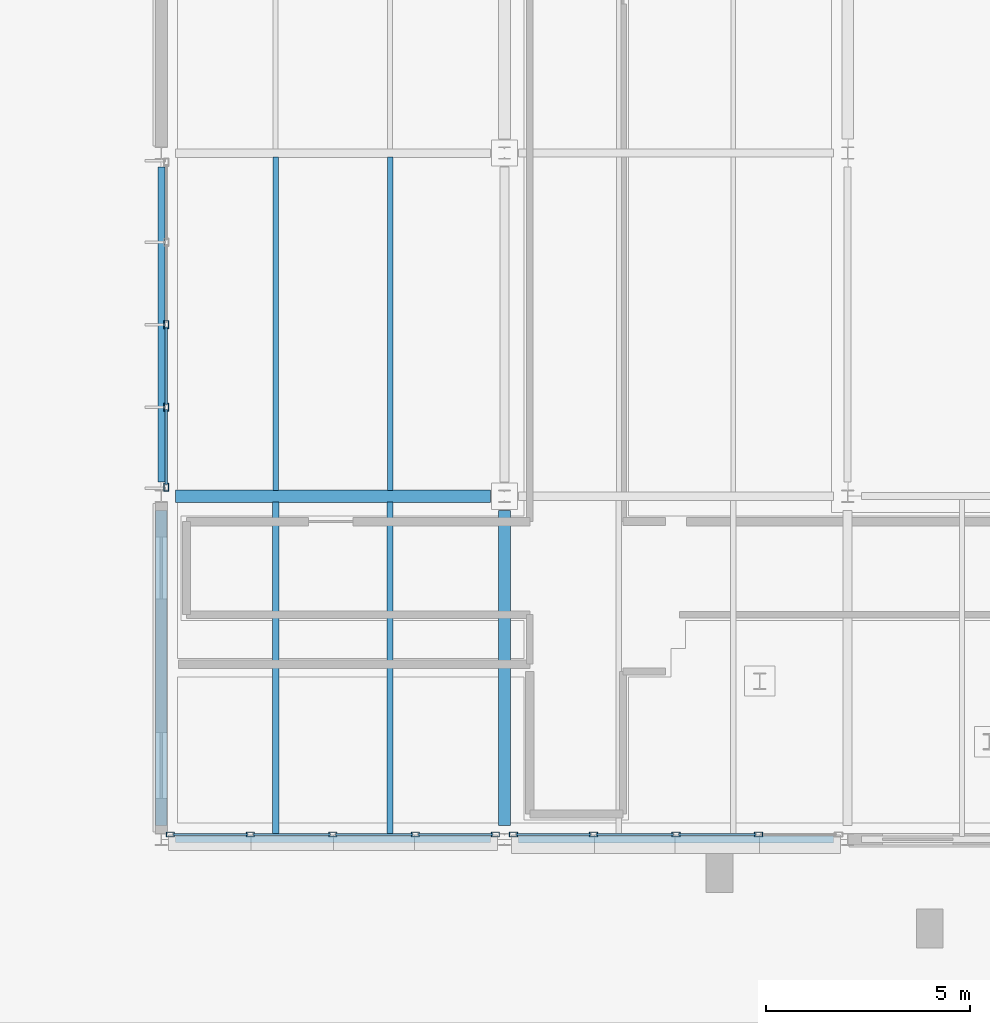
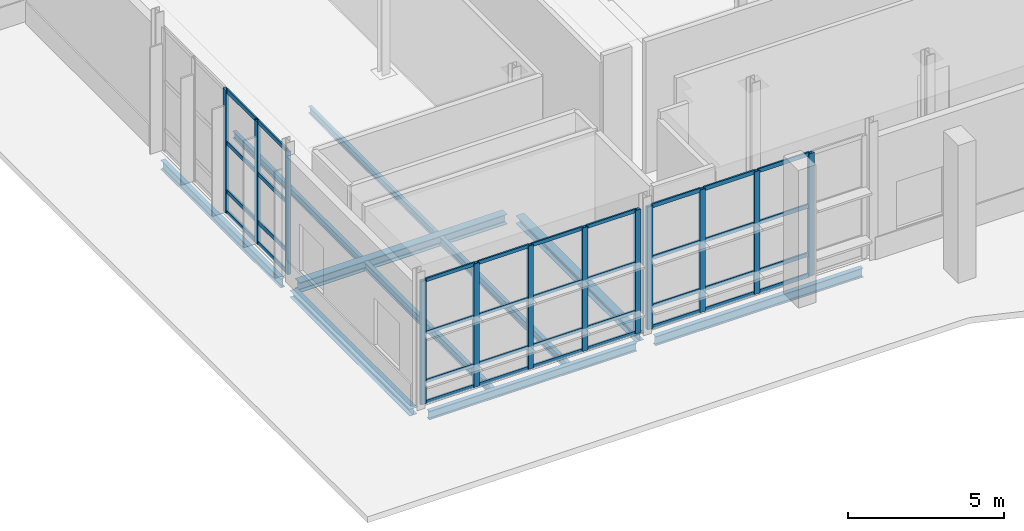
# One storey, part 18 of 124: 48 members, 10 beams, 3 elements without a shape of their own.
"""IFC4 building model written with IfcOpenShell, lengths in metres."""

from ifc_helpers import new_model, si_unit, direction, frame, origin, origin_2d, place, context, subcontext, project, spatial, hollow_rectangle, i_section, extrude, material, material_profile, profile_set, type_object, element, aggregate, save


model = new_model("IFC4")

# Units and contexts
model_context = context("Model", 3, precision=1e-05, world=origin(), true_north=direction((0.0, 1.0)))
body_context = subcontext(model_context, "Body", "Model", "MODEL_VIEW")
ifc_project = project(units=[si_unit("LENGTHUNIT", "METRE"), si_unit("AREAUNIT", "SQUARE_METRE"), si_unit("VOLUMEUNIT", "CUBIC_METRE"), si_unit("PLANEANGLEUNIT", "RADIAN"), si_unit("MASSUNIT", "GRAM", prefix="KILO")], contexts=[model_context])

# Site, building, storey
site_placement = place(None, origin())
site = spatial("IfcSite", under=ifc_project, at=site_placement, CompositionType="ELEMENT")
building_placement = place(site_placement, origin())
building = spatial("IfcBuilding", under=site, at=building_placement, Name="Mersafa Astral City Hall", CompositionType="ELEMENT")
storey_placement = place(building_placement, origin())
storey = spatial("IfcBuildingStorey", under=building, at=storey_placement, Name="L00", CompositionType="ELEMENT", Elevation=0.0)

# Curtain wall, members
ifc_material_1 = material(Name="Anodised bronze aluminium framing", Category="aluminium")
curtain_wall_type_1 = type_object("IfcCurtainWallType", Name="ENV-CW-3", PredefinedType="USERDEFINED", material=ifc_material_1)
curtain_wall_1_placement = place(storey_placement, origin())
curtain_wall_1 = element("IfcCurtainWall", 1, at=curtain_wall_1_placement, inside=storey, type_object=curtain_wall_type_1, Name="L00 Unitised solar curtain wall 38", ObjectType="UNITISED CURTAIN WALL", PredefinedType="USERDEFINED")
ifc_material_profile_1 = material_profile(ifc_material_1, hollow_rectangle(XDim=0.1201171875, YDim=0.199951171875, WallThickness=0.008056640625, at=origin_2d()), Name="RHS 120x200x8")
ifc_profile_set_1 = profile_set([ifc_material_profile_1], Name="Anodised bronze aluminium framing")
member_type_1 = type_object("IfcMemberType", Name="ENV-CW-MUL-2", PredefinedType="MULLION", material=ifc_profile_set_1)
member_1_placement = place(storey_placement, frame((8.52001953125, 63.0, -0.001953125), z_axis=(0.0, 0.0, 1.0), x_axis=(1.0, 0.0, 0.0)))
member_1 = element("IfcMember", 2, at=member_1_placement, type_object=member_type_1, Name="CW-3 mullion 3", PredefinedType="MULLION", context=body_context, shape_type="SweptSolid", body=[
    extrude(hollow_rectangle(XDim=0.1201171875, YDim=0.199951171875, WallThickness=0.008056640625, at=origin_2d()), origin(), (0.0, 0.0, 1.0), 4.81396484375),
])
member_2_placement = place(storey_placement, frame((8.52001953125, 60.98095703125, -0.001953125), z_axis=(0.0, 0.0, 1.0), x_axis=(1.0, 0.0, 0.0)))
member_2 = element("IfcMember", 3, at=member_2_placement, type_object=member_type_1, Name="CW-3 mullion 4", PredefinedType="MULLION", context=body_context, shape_type="SweptSolid", body=[
    extrude(hollow_rectangle(XDim=0.1201171875, YDim=0.199951171875, WallThickness=0.008056640625, at=origin_2d()), origin(), (0.0, 0.0, 1.0), 4.81396484375),
])
member_3_placement = place(storey_placement, frame((8.52001953125, 59.02197265625, -0.001953125), z_axis=(0.0, 0.0, 1.0), x_axis=(1.0, 0.0, 0.0)))
member_3 = element("IfcMember", 4, at=member_3_placement, type_object=member_type_1, Name="CW-3 mullion 5", PredefinedType="MULLION", context=body_context, shape_type="SweptSolid", body=[
    extrude(hollow_rectangle(XDim=0.1201171875, YDim=0.199951171875, WallThickness=0.008056640625, at=origin_2d()), origin(), (0.0, 0.0, 1.0), 4.81396484375),
])

curtain_wall_type_2 = type_object("IfcCurtainWallType", Name="ENV-CW-4", PredefinedType="USERDEFINED", material=ifc_material_1)
curtain_wall_2_placement = place(storey_placement, origin())
curtain_wall_2 = element("IfcCurtainWall", 5, at=curtain_wall_2_placement, inside=storey, type_object=curtain_wall_type_2, Name="L00 Unitised solar curtain wall 39", ObjectType="UNITISED CURTAIN WALL", PredefinedType="USERDEFINED")
member_4_placement = place(storey_placement, frame((8.6220703125, 50.52001953125, -0.001953125), z_axis=(0.0, 0.0, 1.0), x_axis=(0.0, 1.0, 0.0)))
member_4 = element("IfcMember", 6, at=member_4_placement, type_object=member_type_1, Name="CW-4 mullion 1", PredefinedType="MULLION", context=body_context, shape_type="SweptSolid", body=[
    extrude(hollow_rectangle(XDim=0.1201171875, YDim=0.199951171875, WallThickness=0.008056640625, at=origin_2d()), origin(), (0.0, 0.0, 1.0), 4.843994140625),
])
member_5_placement = place(storey_placement, frame((10.5810546875, 50.52001953125, -0.001953125), z_axis=(0.0, 0.0, 1.0), x_axis=(0.0, 1.0, 0.0)))
member_5 = element("IfcMember", 7, at=member_5_placement, type_object=member_type_1, Name="CW-4 mullion 2", PredefinedType="MULLION", context=body_context, shape_type="SweptSolid", body=[
    extrude(hollow_rectangle(XDim=0.1201171875, YDim=0.199951171875, WallThickness=0.008056640625, at=origin_2d()), origin(), (0.0, 0.0, 1.0), 4.843994140625),
])
member_6_placement = place(storey_placement, frame((12.60009765625, 50.52001953125, -0.001953125), z_axis=(0.0, 0.0, 1.0), x_axis=(0.0, 1.0, 0.0)))
member_6 = element("IfcMember", 8, at=member_6_placement, type_object=member_type_1, Name="CW-4 mullion 3", PredefinedType="MULLION", context=body_context, shape_type="SweptSolid", body=[
    extrude(hollow_rectangle(XDim=0.1201171875, YDim=0.199951171875, WallThickness=0.008056640625, at=origin_2d()), origin(), (0.0, 0.0, 1.0), 4.843994140625),
])
member_7_placement = place(storey_placement, frame((14.618896484375, 50.52001953125, -0.001953125), z_axis=(0.0, 0.0, 1.0), x_axis=(0.0, 1.0, 0.0)))
member_7 = element("IfcMember", 9, at=member_7_placement, type_object=member_type_1, Name="CW-4 mullion 4", PredefinedType="MULLION", context=body_context, shape_type="SweptSolid", body=[
    extrude(hollow_rectangle(XDim=0.1201171875, YDim=0.199951171875, WallThickness=0.008056640625, at=origin_2d()), origin(), (0.0, 0.0, 1.0), 4.843994140625),
])
member_8_placement = place(storey_placement, frame((16.577880859375, 50.52001953125, -0.001953125), z_axis=(0.0, 0.0, 1.0), x_axis=(0.0, 1.0, 0.0)))
member_8 = element("IfcMember", 10, at=member_8_placement, type_object=member_type_1, Name="CW-4 mullion 5", PredefinedType="MULLION", context=body_context, shape_type="SweptSolid", body=[
    extrude(hollow_rectangle(XDim=0.1201171875, YDim=0.199951171875, WallThickness=0.008056640625, at=origin_2d()), origin(), (0.0, 0.0, 1.0), 4.843994140625),
])

curtain_wall_type_3 = type_object("IfcCurtainWallType", Name="ENV-CW-5", PredefinedType="USERDEFINED", material=ifc_material_1)
curtain_wall_3_placement = place(storey_placement, origin())
curtain_wall_3 = element("IfcCurtainWall", 11, at=curtain_wall_3_placement, inside=storey, type_object=curtain_wall_type_3, Name="L00 Unitised solar curtain wall 40", ObjectType="UNITISED CURTAIN WALL", PredefinedType="USERDEFINED")
member_9_placement = place(storey_placement, frame((17.02197265625, 50.52001953125, -0.001953125), z_axis=(0.0, 0.0, 1.0), x_axis=(0.0, 1.0, 0.0)))
member_9 = element("IfcMember", 12, at=member_9_placement, type_object=member_type_1, Name="CW-5 mullion 1", PredefinedType="MULLION", context=body_context, shape_type="SweptSolid", body=[
    extrude(hollow_rectangle(XDim=0.1201171875, YDim=0.199951171875, WallThickness=0.008056640625, at=origin_2d()), origin(), (0.0, 0.0, 1.0), 4.81396484375),
])
member_10_placement = place(storey_placement, frame((18.98095703125, 50.52001953125, -0.001953125), z_axis=(0.0, 0.0, 1.0), x_axis=(0.0, 1.0, 0.0)))
member_10 = element("IfcMember", 13, at=member_10_placement, type_object=member_type_1, Name="CW-5 mullion 2", PredefinedType="MULLION", context=body_context, shape_type="SweptSolid", body=[
    extrude(hollow_rectangle(XDim=0.1201171875, YDim=0.199951171875, WallThickness=0.008056640625, at=origin_2d()), origin(), (0.0, 0.0, 1.0), 4.81396484375),
])
member_11_placement = place(storey_placement, frame((21.0, 50.52001953125, -0.001953125), z_axis=(0.0, 0.0, 1.0), x_axis=(0.0, 1.0, 0.0)))
member_11 = element("IfcMember", 14, at=member_11_placement, type_object=member_type_1, Name="CW-5 mullion 3", PredefinedType="MULLION", context=body_context, shape_type="SweptSolid", body=[
    extrude(hollow_rectangle(XDim=0.1201171875, YDim=0.199951171875, WallThickness=0.008056640625, at=origin_2d()), origin(), (0.0, 0.0, 1.0), 4.81396484375),
])
member_12_placement = place(storey_placement, frame((23.01904296875, 50.52001953125, -0.001953125), z_axis=(0.0, 0.0, 1.0), x_axis=(0.0, 1.0, 0.0)))
member_12 = element("IfcMember", 15, at=member_12_placement, type_object=member_type_1, Name="CW-5 mullion 4", PredefinedType="MULLION", context=body_context, shape_type="SweptSolid", body=[
    extrude(hollow_rectangle(XDim=0.1201171875, YDim=0.199951171875, WallThickness=0.008056640625, at=origin_2d()), origin(), (0.0, 0.0, 1.0), 4.81396484375),
])

# Member
ifc_material_profile_2 = material_profile(ifc_material_1, hollow_rectangle(XDim=0.06005859375, YDim=0.139892578125, WallThickness=0.00390625, at=origin_2d()), Name="RHS 60x140x4")
ifc_profile_set_2 = profile_set([ifc_material_profile_2], Name="Anodised bronze aluminium framing")
member_type_2 = type_object("IfcMemberType", Name="ENV-CW-TRN-1", PredefinedType="USERDEFINED", material=ifc_profile_set_2)
member_13_placement = place(storey_placement, frame((8.681884765625, 50.52001953125, 0.028076171875), z_axis=(1.0, 0.0, 0.0), x_axis=(0.0, 1.0, 0.0)))
member_13 = element("IfcMember", 16, at=member_13_placement, type_object=member_type_2, Name="CW-4 transom 1.1", ObjectType="TRANSOM", PredefinedType="USERDEFINED", context=body_context, shape_type="SweptSolid", body=[
    extrude(hollow_rectangle(XDim=0.06005859375, YDim=0.139892578125, WallThickness=0.00390625, at=origin_2d()), origin(), (0.0, 0.0, 1.0), 1.839111328125),
])

member_14_placement = place(storey_placement, frame((8.681884765625, 50.52001953125, 0.85009765625), z_axis=(1.0, 0.0, 0.0), x_axis=(0.0, 1.0, 0.0)))
member_14 = element("IfcMember", 17, at=member_14_placement, type_object=member_type_2, Name="CW-4 transom 1.2", ObjectType="TRANSOM", PredefinedType="USERDEFINED", context=body_context, shape_type="SweptSolid", body=[
    extrude(hollow_rectangle(XDim=0.06005859375, YDim=0.139892578125, WallThickness=0.00390625, at=origin_2d()), origin(), (0.0, 0.0, 1.0), 1.839111328125),
])

member_15_placement = place(storey_placement, frame((8.681884765625, 50.52001953125, 2.75), z_axis=(1.0, 0.0, 0.0), x_axis=(0.0, 1.0, 0.0)))
member_15 = element("IfcMember", 18, at=member_15_placement, type_object=member_type_2, Name="CW-4 transom 1.3", ObjectType="TRANSOM", PredefinedType="USERDEFINED", context=body_context, shape_type="SweptSolid", body=[
    extrude(hollow_rectangle(XDim=0.06005859375, YDim=0.139892578125, WallThickness=0.00390625, at=origin_2d()), origin(), (0.0, 0.0, 1.0), 1.839111328125),
])

member_16_placement = place(storey_placement, frame((8.681884765625, 50.52001953125, 4.81201171875), z_axis=(1.0, 0.0, 0.0), x_axis=(0.0, 1.0, 0.0)))
member_16 = element("IfcMember", 19, at=member_16_placement, type_object=member_type_2, Name="CW-4 transom 1.4", ObjectType="TRANSOM", PredefinedType="USERDEFINED", context=body_context, shape_type="SweptSolid", body=[
    extrude(hollow_rectangle(XDim=0.06005859375, YDim=0.139892578125, WallThickness=0.00390625, at=origin_2d()), origin(), (0.0, 0.0, 1.0), 1.839111328125),
])

member_17_placement = place(storey_placement, frame((10.64111328125, 50.52001953125, 0.028076171875), z_axis=(1.0, 0.0, 0.0), x_axis=(0.0, 1.0, 0.0)))
member_17 = element("IfcMember", 20, at=member_17_placement, type_object=member_type_2, Name="CW-4 transom 2.1", ObjectType="TRANSOM", PredefinedType="USERDEFINED", context=body_context, shape_type="SweptSolid", body=[
    extrude(hollow_rectangle(XDim=0.06005859375, YDim=0.139892578125, WallThickness=0.00390625, at=origin_2d()), origin(), (0.0, 0.0, 1.0), 1.89892578125),
])

member_18_placement = place(storey_placement, frame((10.64111328125, 50.52001953125, 0.85009765625), z_axis=(1.0, 0.0, 0.0), x_axis=(0.0, 1.0, 0.0)))
member_18 = element("IfcMember", 21, at=member_18_placement, type_object=member_type_2, Name="CW-4 transom 2.2", ObjectType="TRANSOM", PredefinedType="USERDEFINED", context=body_context, shape_type="SweptSolid", body=[
    extrude(hollow_rectangle(XDim=0.06005859375, YDim=0.139892578125, WallThickness=0.00390625, at=origin_2d()), origin(), (0.0, 0.0, 1.0), 1.89892578125),
])

member_19_placement = place(storey_placement, frame((10.64111328125, 50.52001953125, 2.75), z_axis=(1.0, 0.0, 0.0), x_axis=(0.0, 1.0, 0.0)))
member_19 = element("IfcMember", 22, at=member_19_placement, type_object=member_type_2, Name="CW-4 transom 2.3", ObjectType="TRANSOM", PredefinedType="USERDEFINED", context=body_context, shape_type="SweptSolid", body=[
    extrude(hollow_rectangle(XDim=0.06005859375, YDim=0.139892578125, WallThickness=0.00390625, at=origin_2d()), origin(), (0.0, 0.0, 1.0), 1.89892578125),
])

member_20_placement = place(storey_placement, frame((10.64111328125, 50.52001953125, 4.81201171875), z_axis=(1.0, 0.0, 0.0), x_axis=(0.0, 1.0, 0.0)))
member_20 = element("IfcMember", 23, at=member_20_placement, type_object=member_type_2, Name="CW-4 transom 2.4", ObjectType="TRANSOM", PredefinedType="USERDEFINED", context=body_context, shape_type="SweptSolid", body=[
    extrude(hollow_rectangle(XDim=0.06005859375, YDim=0.139892578125, WallThickness=0.00390625, at=origin_2d()), origin(), (0.0, 0.0, 1.0), 1.89892578125),
])

member_21_placement = place(storey_placement, frame((12.659912109375, 50.52001953125, 0.028076171875), z_axis=(1.0, 0.0, 0.0), x_axis=(0.0, 1.0, 0.0)))
member_21 = element("IfcMember", 24, at=member_21_placement, type_object=member_type_2, Name="CW-4 transom 3.1", ObjectType="TRANSOM", PredefinedType="USERDEFINED", context=body_context, shape_type="SweptSolid", body=[
    extrude(hollow_rectangle(XDim=0.06005859375, YDim=0.139892578125, WallThickness=0.00390625, at=origin_2d()), origin(), (0.0, 0.0, 1.0), 1.899169921875),
])

member_22_placement = place(storey_placement, frame((12.659912109375, 50.52001953125, 0.85009765625), z_axis=(1.0, 0.0, 0.0), x_axis=(0.0, 1.0, 0.0)))
member_22 = element("IfcMember", 25, at=member_22_placement, type_object=member_type_2, Name="CW-4 transom 3.2", ObjectType="TRANSOM", PredefinedType="USERDEFINED", context=body_context, shape_type="SweptSolid", body=[
    extrude(hollow_rectangle(XDim=0.06005859375, YDim=0.139892578125, WallThickness=0.00390625, at=origin_2d()), origin(), (0.0, 0.0, 1.0), 1.899169921875),
])

member_23_placement = place(storey_placement, frame((12.659912109375, 50.52001953125, 2.75), z_axis=(1.0, 0.0, 0.0), x_axis=(0.0, 1.0, 0.0)))
member_23 = element("IfcMember", 26, at=member_23_placement, type_object=member_type_2, Name="CW-4 transom 3.3", ObjectType="TRANSOM", PredefinedType="USERDEFINED", context=body_context, shape_type="SweptSolid", body=[
    extrude(hollow_rectangle(XDim=0.06005859375, YDim=0.139892578125, WallThickness=0.00390625, at=origin_2d()), origin(), (0.0, 0.0, 1.0), 1.899169921875),
])

member_24_placement = place(storey_placement, frame((12.659912109375, 50.52001953125, 4.81201171875), z_axis=(1.0, 0.0, 0.0), x_axis=(0.0, 1.0, 0.0)))
member_24 = element("IfcMember", 27, at=member_24_placement, type_object=member_type_2, Name="CW-4 transom 3.4", ObjectType="TRANSOM", PredefinedType="USERDEFINED", context=body_context, shape_type="SweptSolid", body=[
    extrude(hollow_rectangle(XDim=0.06005859375, YDim=0.139892578125, WallThickness=0.00390625, at=origin_2d()), origin(), (0.0, 0.0, 1.0), 1.899169921875),
])

member_25_placement = place(storey_placement, frame((14.678955078125, 50.52001953125, 0.028076171875), z_axis=(1.0, 0.0, 0.0), x_axis=(0.0, 1.0, 0.0)))
member_25 = element("IfcMember", 28, at=member_25_placement, type_object=member_type_2, Name="CW-4 transom 4.1", ObjectType="TRANSOM", PredefinedType="USERDEFINED", context=body_context, shape_type="SweptSolid", body=[
    extrude(hollow_rectangle(XDim=0.06005859375, YDim=0.139892578125, WallThickness=0.00390625, at=origin_2d()), origin(), (0.0, 0.0, 1.0), 1.839111328125),
])

member_26_placement = place(storey_placement, frame((14.678955078125, 50.52001953125, 0.85009765625), z_axis=(1.0, 0.0, 0.0), x_axis=(0.0, 1.0, 0.0)))
member_26 = element("IfcMember", 29, at=member_26_placement, type_object=member_type_2, Name="CW-4 transom 4.2", ObjectType="TRANSOM", PredefinedType="USERDEFINED", context=body_context, shape_type="SweptSolid", body=[
    extrude(hollow_rectangle(XDim=0.06005859375, YDim=0.139892578125, WallThickness=0.00390625, at=origin_2d()), origin(), (0.0, 0.0, 1.0), 1.839111328125),
])

member_27_placement = place(storey_placement, frame((14.678955078125, 50.52001953125, 2.75), z_axis=(1.0, 0.0, 0.0), x_axis=(0.0, 1.0, 0.0)))
member_27 = element("IfcMember", 30, at=member_27_placement, type_object=member_type_2, Name="CW-4 transom 4.3", ObjectType="TRANSOM", PredefinedType="USERDEFINED", context=body_context, shape_type="SweptSolid", body=[
    extrude(hollow_rectangle(XDim=0.06005859375, YDim=0.139892578125, WallThickness=0.00390625, at=origin_2d()), origin(), (0.0, 0.0, 1.0), 1.839111328125),
])

member_28_placement = place(storey_placement, frame((14.678955078125, 50.52001953125, 4.81201171875), z_axis=(1.0, 0.0, 0.0), x_axis=(0.0, 1.0, 0.0)))
member_28 = element("IfcMember", 31, at=member_28_placement, type_object=member_type_2, Name="CW-4 transom 4.4", ObjectType="TRANSOM", PredefinedType="USERDEFINED", context=body_context, shape_type="SweptSolid", body=[
    extrude(hollow_rectangle(XDim=0.06005859375, YDim=0.139892578125, WallThickness=0.00390625, at=origin_2d()), origin(), (0.0, 0.0, 1.0), 1.839111328125),
])

aggregate(curtain_wall_2, [member_4, member_5, member_6, member_7, member_8, member_13, member_14, member_15, member_16, member_17, member_18, member_19, member_20, member_21, member_22, member_23, member_24, member_25, member_26, member_27, member_28])

ifc_material_profile_3 = material_profile(ifc_material_1, hollow_rectangle(XDim=0.06005859375, YDim=0.159912109375, WallThickness=0.00390625, at=origin_2d()), Name="RHS 60x160x4")
ifc_profile_set_3 = profile_set([ifc_material_profile_3], Name="Anodised bronze aluminium framing")
member_type_3 = type_object("IfcMemberType", Name="ENV-CW-TRN-2", PredefinedType="USERDEFINED", material=ifc_profile_set_3)
member_29_placement = place(storey_placement, frame((8.52001953125, 62.93994140625, 0.028076171875), z_axis=(0.0, -1.0, 0.0), x_axis=(1.0, 0.0, 0.0)))
member_29 = element("IfcMember", 32, at=member_29_placement, type_object=member_type_3, Name="CW-3 transom 3.1", ObjectType="TRANSOM", PredefinedType="USERDEFINED", context=body_context, shape_type="SweptSolid", body=[
    extrude(hollow_rectangle(XDim=0.06005859375, YDim=0.159912109375, WallThickness=0.00390625, at=origin_2d()), origin(), (0.0, 0.0, 1.0), 1.89892578125),
])

member_30_placement = place(storey_placement, frame((8.52001953125, 62.93994140625, 0.85009765625), z_axis=(0.0, -1.0, 0.0), x_axis=(1.0, 0.0, 0.0)))
member_30 = element("IfcMember", 33, at=member_30_placement, type_object=member_type_3, Name="CW-3 transom 3.2", ObjectType="TRANSOM", PredefinedType="USERDEFINED", context=body_context, shape_type="SweptSolid", body=[
    extrude(hollow_rectangle(XDim=0.06005859375, YDim=0.159912109375, WallThickness=0.00390625, at=origin_2d()), origin(), (0.0, 0.0, 1.0), 1.89892578125),
])

member_31_placement = place(storey_placement, frame((8.52001953125, 62.93994140625, 2.75), z_axis=(0.0, -1.0, 0.0), x_axis=(1.0, 0.0, 0.0)))
member_31 = element("IfcMember", 34, at=member_31_placement, type_object=member_type_3, Name="CW-3 transom 3.3", ObjectType="TRANSOM", PredefinedType="USERDEFINED", context=body_context, shape_type="SweptSolid", body=[
    extrude(hollow_rectangle(XDim=0.06005859375, YDim=0.159912109375, WallThickness=0.00390625, at=origin_2d()), origin(), (0.0, 0.0, 1.0), 1.89892578125),
])

member_32_placement = place(storey_placement, frame((8.52001953125, 62.93994140625, 4.781982421875), z_axis=(0.0, -1.0, 0.0), x_axis=(1.0, 0.0, 0.0)))
member_32 = element("IfcMember", 35, at=member_32_placement, type_object=member_type_3, Name="CW-3 transom 3.4", ObjectType="TRANSOM", PredefinedType="USERDEFINED", context=body_context, shape_type="SweptSolid", body=[
    extrude(hollow_rectangle(XDim=0.06005859375, YDim=0.159912109375, WallThickness=0.00390625, at=origin_2d()), origin(), (0.0, 0.0, 1.0), 1.89892578125),
])

member_33_placement = place(storey_placement, frame((8.52001953125, 60.9208984375, 0.028076171875), z_axis=(0.0, -1.0, 0.0), x_axis=(1.0, 0.0, 0.0)))
member_33 = element("IfcMember", 36, at=member_33_placement, type_object=member_type_3, Name="CW-3 transom 4.1", ObjectType="TRANSOM", PredefinedType="USERDEFINED", context=body_context, shape_type="SweptSolid", body=[
    extrude(hollow_rectangle(XDim=0.06005859375, YDim=0.159912109375, WallThickness=0.00390625, at=origin_2d()), origin(), (0.0, 0.0, 1.0), 1.8388671875),
])

member_34_placement = place(storey_placement, frame((8.52001953125, 60.9208984375, 0.85009765625), z_axis=(0.0, -1.0, 0.0), x_axis=(1.0, 0.0, 0.0)))
member_34 = element("IfcMember", 37, at=member_34_placement, type_object=member_type_3, Name="CW-3 transom 4.2", ObjectType="TRANSOM", PredefinedType="USERDEFINED", context=body_context, shape_type="SweptSolid", body=[
    extrude(hollow_rectangle(XDim=0.06005859375, YDim=0.159912109375, WallThickness=0.00390625, at=origin_2d()), origin(), (0.0, 0.0, 1.0), 1.8388671875),
])

member_35_placement = place(storey_placement, frame((8.52001953125, 60.9208984375, 2.75), z_axis=(0.0, -1.0, 0.0), x_axis=(1.0, 0.0, 0.0)))
member_35 = element("IfcMember", 38, at=member_35_placement, type_object=member_type_3, Name="CW-3 transom 4.3", ObjectType="TRANSOM", PredefinedType="USERDEFINED", context=body_context, shape_type="SweptSolid", body=[
    extrude(hollow_rectangle(XDim=0.06005859375, YDim=0.159912109375, WallThickness=0.00390625, at=origin_2d()), origin(), (0.0, 0.0, 1.0), 1.8388671875),
])

member_36_placement = place(storey_placement, frame((8.52001953125, 60.9208984375, 4.781982421875), z_axis=(0.0, -1.0, 0.0), x_axis=(1.0, 0.0, 0.0)))
member_36 = element("IfcMember", 39, at=member_36_placement, type_object=member_type_3, Name="CW-3 transom 4.4", ObjectType="TRANSOM", PredefinedType="USERDEFINED", context=body_context, shape_type="SweptSolid", body=[
    extrude(hollow_rectangle(XDim=0.06005859375, YDim=0.159912109375, WallThickness=0.00390625, at=origin_2d()), origin(), (0.0, 0.0, 1.0), 1.8388671875),
])

aggregate(curtain_wall_1, [member_1, member_2, member_3, member_29, member_30, member_31, member_32, member_33, member_34, member_35, member_36])

member_37_placement = place(storey_placement, frame((17.08203125, 50.52001953125, 0.028076171875), z_axis=(1.0, 0.0, 0.0), x_axis=(0.0, 1.0, 0.0)))
member_37 = element("IfcMember", 40, at=member_37_placement, type_object=member_type_3, Name="CW-5 transom 1.1", ObjectType="TRANSOM", PredefinedType="USERDEFINED", context=body_context, shape_type="SweptSolid", body=[
    extrude(hollow_rectangle(XDim=0.06005859375, YDim=0.159912109375, WallThickness=0.00390625, at=origin_2d()), origin(), (0.0, 0.0, 1.0), 1.8388671875),
])

member_38_placement = place(storey_placement, frame((17.08203125, 50.52001953125, 0.85009765625), z_axis=(1.0, 0.0, 0.0), x_axis=(0.0, 1.0, 0.0)))
member_38 = element("IfcMember", 41, at=member_38_placement, type_object=member_type_3, Name="CW-5 transom 1.2", ObjectType="TRANSOM", PredefinedType="USERDEFINED", context=body_context, shape_type="SweptSolid", body=[
    extrude(hollow_rectangle(XDim=0.06005859375, YDim=0.159912109375, WallThickness=0.00390625, at=origin_2d()), origin(), (0.0, 0.0, 1.0), 1.8388671875),
])

member_39_placement = place(storey_placement, frame((17.08203125, 50.52001953125, 2.75), z_axis=(1.0, 0.0, 0.0), x_axis=(0.0, 1.0, 0.0)))
member_39 = element("IfcMember", 42, at=member_39_placement, type_object=member_type_3, Name="CW-5 transom 1.3", ObjectType="TRANSOM", PredefinedType="USERDEFINED", context=body_context, shape_type="SweptSolid", body=[
    extrude(hollow_rectangle(XDim=0.06005859375, YDim=0.159912109375, WallThickness=0.00390625, at=origin_2d()), origin(), (0.0, 0.0, 1.0), 1.8388671875),
])

member_40_placement = place(storey_placement, frame((17.08203125, 50.52001953125, 4.781982421875), z_axis=(1.0, 0.0, 0.0), x_axis=(0.0, 1.0, 0.0)))
member_40 = element("IfcMember", 43, at=member_40_placement, type_object=member_type_3, Name="CW-5 transom 1.4", ObjectType="TRANSOM", PredefinedType="USERDEFINED", context=body_context, shape_type="SweptSolid", body=[
    extrude(hollow_rectangle(XDim=0.06005859375, YDim=0.159912109375, WallThickness=0.00390625, at=origin_2d()), origin(), (0.0, 0.0, 1.0), 1.8388671875),
])

member_41_placement = place(storey_placement, frame((19.041015625, 50.52001953125, 0.028076171875), z_axis=(1.0, 0.0, 0.0), x_axis=(0.0, 1.0, 0.0)))
member_41 = element("IfcMember", 44, at=member_41_placement, type_object=member_type_3, Name="CW-5 transom 2.1", ObjectType="TRANSOM", PredefinedType="USERDEFINED", context=body_context, shape_type="SweptSolid", body=[
    extrude(hollow_rectangle(XDim=0.06005859375, YDim=0.159912109375, WallThickness=0.00390625, at=origin_2d()), origin(), (0.0, 0.0, 1.0), 1.89892578125),
])

member_42_placement = place(storey_placement, frame((19.041015625, 50.52001953125, 0.85009765625), z_axis=(1.0, 0.0, 0.0), x_axis=(0.0, 1.0, 0.0)))
member_42 = element("IfcMember", 45, at=member_42_placement, type_object=member_type_3, Name="CW-5 transom 2.2", ObjectType="TRANSOM", PredefinedType="USERDEFINED", context=body_context, shape_type="SweptSolid", body=[
    extrude(hollow_rectangle(XDim=0.06005859375, YDim=0.159912109375, WallThickness=0.00390625, at=origin_2d()), origin(), (0.0, 0.0, 1.0), 1.89892578125),
])

member_43_placement = place(storey_placement, frame((19.041015625, 50.52001953125, 2.75), z_axis=(1.0, 0.0, 0.0), x_axis=(0.0, 1.0, 0.0)))
member_43 = element("IfcMember", 46, at=member_43_placement, type_object=member_type_3, Name="CW-5 transom 2.3", ObjectType="TRANSOM", PredefinedType="USERDEFINED", context=body_context, shape_type="SweptSolid", body=[
    extrude(hollow_rectangle(XDim=0.06005859375, YDim=0.159912109375, WallThickness=0.00390625, at=origin_2d()), origin(), (0.0, 0.0, 1.0), 1.89892578125),
])

member_44_placement = place(storey_placement, frame((19.041015625, 50.52001953125, 4.781982421875), z_axis=(1.0, 0.0, 0.0), x_axis=(0.0, 1.0, 0.0)))
member_44 = element("IfcMember", 47, at=member_44_placement, type_object=member_type_3, Name="CW-5 transom 2.4", ObjectType="TRANSOM", PredefinedType="USERDEFINED", context=body_context, shape_type="SweptSolid", body=[
    extrude(hollow_rectangle(XDim=0.06005859375, YDim=0.159912109375, WallThickness=0.00390625, at=origin_2d()), origin(), (0.0, 0.0, 1.0), 1.89892578125),
])

member_45_placement = place(storey_placement, frame((21.06005859375, 50.52001953125, 0.028076171875), z_axis=(1.0, 0.0, 0.0), x_axis=(0.0, 1.0, 0.0)))
member_45 = element("IfcMember", 48, at=member_45_placement, type_object=member_type_3, Name="CW-5 transom 3.1", ObjectType="TRANSOM", PredefinedType="USERDEFINED", context=body_context, shape_type="SweptSolid", body=[
    extrude(hollow_rectangle(XDim=0.06005859375, YDim=0.159912109375, WallThickness=0.00390625, at=origin_2d()), origin(), (0.0, 0.0, 1.0), 1.89892578125),
])

member_46_placement = place(storey_placement, frame((21.06005859375, 50.52001953125, 0.85009765625), z_axis=(1.0, 0.0, 0.0), x_axis=(0.0, 1.0, 0.0)))
member_46 = element("IfcMember", 49, at=member_46_placement, type_object=member_type_3, Name="CW-5 transom 3.2", ObjectType="TRANSOM", PredefinedType="USERDEFINED", context=body_context, shape_type="SweptSolid", body=[
    extrude(hollow_rectangle(XDim=0.06005859375, YDim=0.159912109375, WallThickness=0.00390625, at=origin_2d()), origin(), (0.0, 0.0, 1.0), 1.89892578125),
])

member_47_placement = place(storey_placement, frame((21.06005859375, 50.52001953125, 2.75), z_axis=(1.0, 0.0, 0.0), x_axis=(0.0, 1.0, 0.0)))
member_47 = element("IfcMember", 50, at=member_47_placement, type_object=member_type_3, Name="CW-5 transom 3.3", ObjectType="TRANSOM", PredefinedType="USERDEFINED", context=body_context, shape_type="SweptSolid", body=[
    extrude(hollow_rectangle(XDim=0.06005859375, YDim=0.159912109375, WallThickness=0.00390625, at=origin_2d()), origin(), (0.0, 0.0, 1.0), 1.89892578125),
])

member_48_placement = place(storey_placement, frame((21.06005859375, 50.52001953125, 4.781982421875), z_axis=(1.0, 0.0, 0.0), x_axis=(0.0, 1.0, 0.0)))
member_48 = element("IfcMember", 51, at=member_48_placement, type_object=member_type_3, Name="CW-5 transom 3.4", ObjectType="TRANSOM", PredefinedType="USERDEFINED", context=body_context, shape_type="SweptSolid", body=[
    extrude(hollow_rectangle(XDim=0.06005859375, YDim=0.159912109375, WallThickness=0.00390625, at=origin_2d()), origin(), (0.0, 0.0, 1.0), 1.89892578125),
])

aggregate(curtain_wall_3, [member_9, member_10, member_11, member_12, member_37, member_38, member_39, member_40, member_41, member_42, member_43, member_44, member_45, member_46, member_47, member_48])

# Beams
ifc_material_2 = material(Name="Steel S355", Category="steel")
ifc_material_profile_4 = material_profile(ifc_material_2, i_section(OverallWidth=0.300048828125, OverallDepth=0.31005859375, WebThickness=0.009033203125, FlangeThickness=0.015380859375, FilletRadius=0.027099609375, at=origin_2d()), Name="HEA 320")
ifc_profile_set_4 = profile_set([ifc_material_profile_4], Name="Steel S355")
beam_type_1 = type_object("IfcBeamType", Name="STR-BM-HEA320", PredefinedType="BEAM", material=ifc_profile_set_4)
beam_1_placement = place(storey_placement, frame((16.800048828125, 50.7451171875, -0.405029296875), z_axis=(0.0, 1.0, 0.0), x_axis=(-1.0, 0.0, 0.0)))
element("IfcBeam", 52, at=beam_1_placement, inside=storey, type_object=beam_type_1, Name="L00 Primary girder Y 2-6", PredefinedType="BEAM", context=body_context, shape_type="SweptSolid", body=[
    extrude(i_section(OverallWidth=0.300048828125, OverallDepth=0.31005859375, WebThickness=0.009033203125, FlangeThickness=0.015380859375, FilletRadius=0.027099609375, at=origin_2d()), origin(), (0.0, 0.0, 1.0), 7.7099609375),
])
ifc_material_profile_5 = material_profile(ifc_material_2, i_section(OverallWidth=0.300048828125, OverallDepth=0.389892578125, WebThickness=0.010986328125, FlangeThickness=0.01904296875, FilletRadius=0.027099609375, at=origin_2d()), Name="HEA 400")
ifc_profile_set_5 = profile_set([ifc_material_profile_5], Name="Steel S355")
beam_type_2 = type_object("IfcBeamType", Name="STR-BM-HEA400", PredefinedType="BEAM", material=ifc_profile_set_5)
beam_2_placement = place(storey_placement, frame((8.7451171875, 58.800048828125, -0.445068359375), z_axis=(1.0, 0.0, 0.0), x_axis=(0.0, 1.0, 0.0)))
element("IfcBeam", 53, at=beam_2_placement, inside=storey, type_object=beam_type_2, Name="L00 Primary girder X 1-7", PredefinedType="BEAM", context=body_context, shape_type="SweptSolid", body=[
    extrude(i_section(OverallWidth=0.300048828125, OverallDepth=0.389892578125, WebThickness=0.010986328125, FlangeThickness=0.01904296875, FilletRadius=0.027099609375, at=origin_2d()), origin(), (0.0, 0.0, 1.0), 7.7099609375),
])
ifc_material_profile_6 = material_profile(ifc_material_2, i_section(OverallWidth=0.135009765625, OverallDepth=0.27001953125, WebThickness=0.006591796875, FlangeThickness=0.01025390625, FilletRadius=0.014892578125, at=origin_2d()), Name="IPE 270")
ifc_profile_set_6 = profile_set([ifc_material_profile_6], Name="Steel S355")
beam_type_3 = type_object("IfcBeamType", Name="STR-BM-JOIST-IPE270", PredefinedType="JOIST", material=ifc_profile_set_6)
for number, where, z_axis, x_axis, name in (
    (54, (11.199951171875, 58.945068359375, -0.385009765625), (0.0, 1.0, 0.0), (-1.0, 0.0, 0.0), "L00 Composite secondary floor joist 7"),
    (55, (14.0, 58.945068359375, -0.385009765625), (0.0, 1.0, 0.0), (-1.0, 0.0, 0.0), "L00 Composite secondary floor joist 8"),
):
    element("IfcBeam", number, at=place(storey_placement, frame(where, z_axis=z_axis, x_axis=x_axis)), inside=storey, type_object=beam_type_3, Name=name, PredefinedType="JOIST", context=body_context, shape_type="SweptSolid", body=[
        extrude(i_section(OverallWidth=0.135009765625, OverallDepth=0.27001953125, WebThickness=0.006591796875, FlangeThickness=0.01025390625, FilletRadius=0.014892578125, at=origin_2d()), origin(), (0.0, 0.0, 1.0), 8.155029296875),
    ])
ifc_material_profile_7 = material_profile(ifc_material_2, i_section(OverallWidth=0.14990234375, OverallDepth=0.300048828125, WebThickness=0.007080078125, FlangeThickness=0.0107421875, FilletRadius=0.014892578125, at=origin_2d()), Name="IPE 300")
ifc_profile_set_7 = profile_set([ifc_material_profile_7], Name="Steel S355")
beam_type_4 = type_object("IfcBeamType", Name="STR-BM-JOIST-IPE300", PredefinedType="JOIST", material=ifc_profile_set_7)
for number, where, z_axis, x_axis, name in (
    (56, (11.199951171875, 50.47509765625, -0.39990234375), (0.0, 1.0, 0.0), (-1.0, 0.0, 0.0), "L00 Composite secondary floor joist 5"),
    (57, (14.0, 50.47509765625, -0.39990234375), (0.0, 1.0, 0.0), (-1.0, 0.0, 0.0), "L00 Composite secondary floor joist 6"),
):
    element("IfcBeam", number, at=place(storey_placement, frame(where, z_axis=z_axis, x_axis=x_axis)), inside=storey, type_object=beam_type_4, Name=name, PredefinedType="JOIST", context=body_context, shape_type="SweptSolid", body=[
        extrude(i_section(OverallWidth=0.14990234375, OverallDepth=0.300048828125, WebThickness=0.007080078125, FlangeThickness=0.0107421875, FilletRadius=0.014892578125, at=origin_2d()), origin(), (0.0, 0.0, 1.0), 8.179931640625),
    ])
ifc_material_profile_8 = material_profile(ifc_material_2, i_section(OverallWidth=0.280029296875, OverallDepth=0.27001953125, WebThickness=0.008056640625, FlangeThickness=0.012939453125, FilletRadius=0.02392578125, at=origin_2d()), Name="HEA 280")
ifc_profile_set_8 = profile_set([ifc_material_profile_8], Name="Steel S355")
beam_type_5 = type_object("IfcBeamType", Name="STR-BM-SPANDREL-HEA280", PredefinedType="SPANDREL", material=ifc_profile_set_8)
beam_3_placement = place(storey_placement, frame((8.39990234375, 50.7451171875, -0.385009765625), z_axis=(0.0, 1.0, 0.0), x_axis=(-1.0, 0.0, 0.0)))
element("IfcBeam", 58, at=beam_3_placement, inside=storey, type_object=beam_type_5, Name="L00 Primary girder Y 1-6", PredefinedType="SPANDREL", context=body_context, shape_type="SweptSolid", body=[
    extrude(i_section(OverallWidth=0.280029296875, OverallDepth=0.27001953125, WebThickness=0.008056640625, FlangeThickness=0.012939453125, FilletRadius=0.02392578125, at=origin_2d()), origin(), (0.0, 0.0, 1.0), 7.7099609375),
])
ifc_material_profile_9 = material_profile(ifc_material_2, i_section(OverallWidth=0.159912109375, OverallDepth=0.330078125, WebThickness=0.007568359375, FlangeThickness=0.011474609375, FilletRadius=0.01806640625, at=origin_2d()), Name="IPE 330")
ifc_profile_set_9 = profile_set([ifc_material_profile_9], Name="Steel S355")
beam_type_6 = type_object("IfcBeamType", Name="STR-BM-SPANDREL-IPE330", PredefinedType="SPANDREL", material=ifc_profile_set_9)
beam_4_placement = place(storey_placement, frame((8.7451171875, 50.39990234375, -0.4150390625), z_axis=(1.0, 0.0, 0.0), x_axis=(0.0, 1.0, 0.0)))
element("IfcBeam", 59, at=beam_4_placement, inside=storey, type_object=beam_type_6, Name="L00 Primary girder X 1-6", PredefinedType="SPANDREL", context=body_context, shape_type="SweptSolid", body=[
    extrude(i_section(OverallWidth=0.159912109375, OverallDepth=0.330078125, WebThickness=0.007568359375, FlangeThickness=0.011474609375, FilletRadius=0.01806640625, at=origin_2d()), origin(), (0.0, 0.0, 1.0), 7.7099609375),
])
ifc_material_profile_10 = material_profile(ifc_material_2, i_section(OverallWidth=0.169921875, OverallDepth=0.360107421875, WebThickness=0.008056640625, FlangeThickness=0.0126953125, FilletRadius=0.01806640625, at=origin_2d()), Name="IPE 360")
ifc_profile_set_10 = profile_set([ifc_material_profile_10], Name="Steel S355")
beam_type_7 = type_object("IfcBeamType", Name="STR-BM-SPANDREL-IPE360", PredefinedType="SPANDREL", material=ifc_profile_set_10)
for number, where, z_axis, x_axis, name in (
    (60, (17.14501953125, 50.39990234375, -0.429931640625), (1.0, 0.0, 0.0), (0.0, 1.0, 0.0), "L00 Primary girder X 2-6"),
    (61, (8.39990234375, 59.14501953125, -0.429931640625), (0.0, 1.0, 0.0), (-1.0, 0.0, 0.0), "L00 Primary girder Y 1-7"),
):
    element("IfcBeam", number, at=place(storey_placement, frame(where, z_axis=z_axis, x_axis=x_axis)), inside=storey, type_object=beam_type_7, Name=name, PredefinedType="SPANDREL", context=body_context, shape_type="SweptSolid", body=[
        extrude(i_section(OverallWidth=0.169921875, OverallDepth=0.360107421875, WebThickness=0.008056640625, FlangeThickness=0.0126953125, FilletRadius=0.01806640625, at=origin_2d()), origin(), (0.0, 0.0, 1.0), 7.7099609375),
    ])

save(model, "model.ifc")
